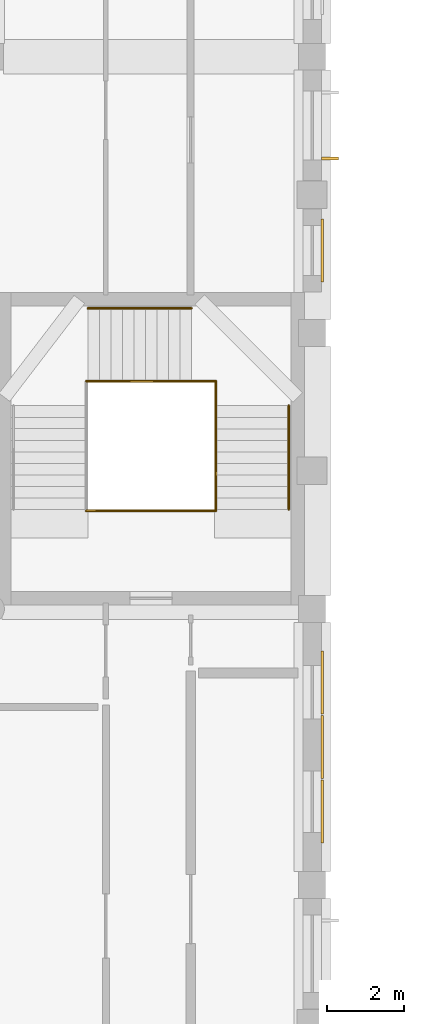
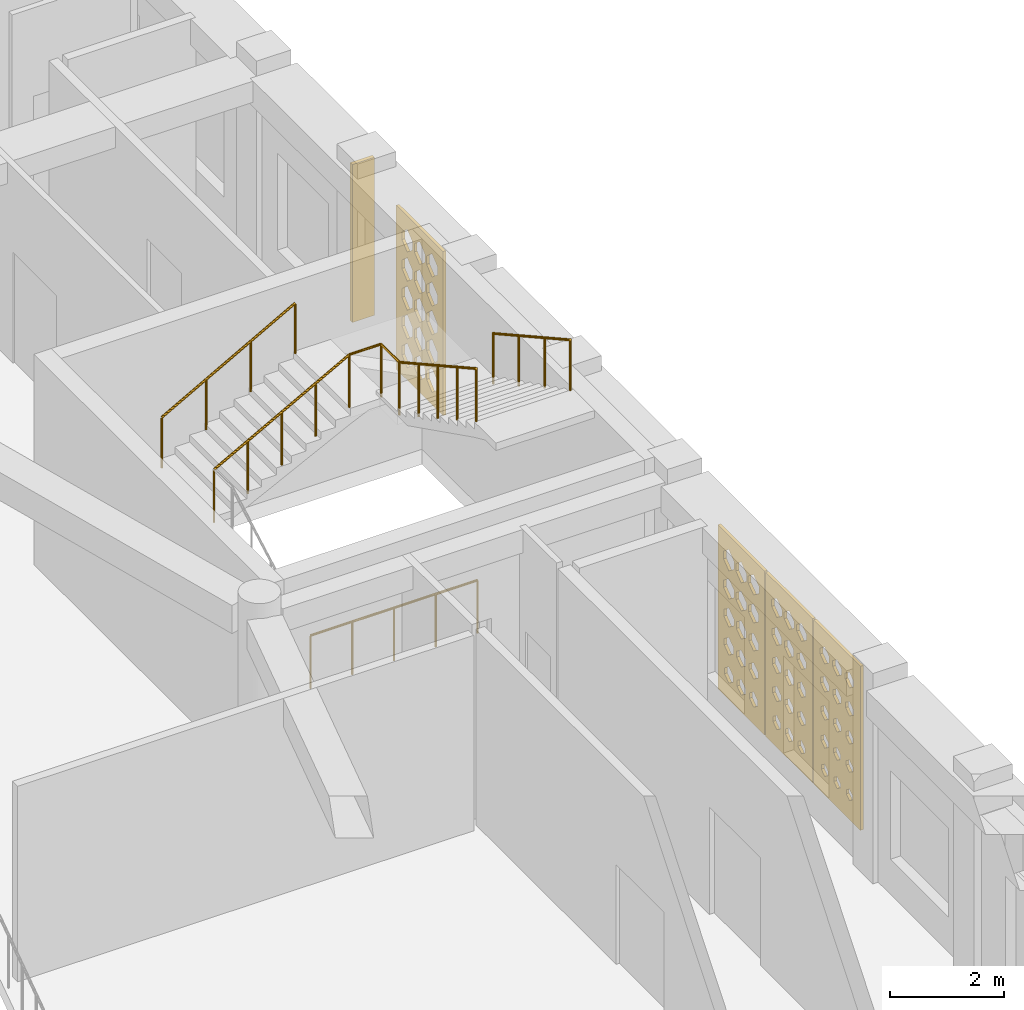
# One storey, part 85 of 100: 5 railings, 4 coverings, 1 shading device.
"""IFC4 building model written with IfcOpenShell, lengths in metres."""

from ifc_helpers import new_model, si_unit, derived_unit, direction, frame, origin, origin_2d, place, context, subcontext, project, spatial, polyline, rectangle, circle, outline, extrude, material, layer, layer_set, type_object, element, save


model = new_model("IFC4")

# Units and contexts
model_context = context("Model", 3, precision=1e-05, world=origin(), true_north=direction((0.0, 1.0)))
body_context = subcontext(model_context, "Body", "Model", "MODEL_VIEW")
ifc_project = project(units=[si_unit("LENGTHUNIT", "METRE"), si_unit("AREAUNIT", "SQUARE_METRE"), si_unit("VOLUMEUNIT", "CUBIC_METRE"), si_unit("PLANEANGLEUNIT", "RADIAN"), si_unit("MASSUNIT", "GRAM", prefix="KILO"), derived_unit("THERMALTRANSMITTANCEUNIT", [(si_unit("POWERUNIT", "WATT"), 1), (si_unit("LENGTHUNIT", "METRE"), -2), (si_unit("THERMODYNAMICTEMPERATUREUNIT", "KELVIN"), -1)])], contexts=[model_context])

# Site, building, storey
site_placement = place(None, origin())
site = spatial("IfcSite", under=ifc_project, at=site_placement, CompositionType="ELEMENT")
building_placement = place(site_placement, origin())
building = spatial("IfcBuilding", under=site, at=building_placement, Name="Veybourne Emporium", CompositionType="ELEMENT")
storey_placement = place(building_placement, frame((0.0, 0.0, 14.39990234375)))
storey = spatial("IfcBuildingStorey", under=building, at=storey_placement, Name="L03", CompositionType="ELEMENT", Elevation=14.39990234375)

# Railings
ifc_material_1 = material(Name="Brushed Stainless Steel", Category="steel")
railing_type_1 = type_object("IfcRailingType", Name="Guard_GR-01", PredefinedType="GUARDRAIL", material=ifc_material_1)
railing_1_placement = place(storey_placement, frame((94.909912109375, 56.340087890625, 1.5)))
element("IfcRailing", 1, at=railing_1_placement, inside=storey, type_object=railing_type_1, Name="L03 ST-07 stair guard 2", PredefinedType="GUARDRAIL", context=body_context, shape_type="SweptSolid", body=[
    extrude(circle(Radius=0.02392578125, at=origin_2d()), frame((0.0, 0.0, 1.1259765625), z_axis=(0.87715976088, 0.0, 0.480198660861), x_axis=(0.0, 1.0, 0.0)), (0.0, 0.0, 1.0), 3.123779296875),
    extrude(circle(Radius=0.02392578125, at=origin_2d()), frame((2.739990234375, 0.0, 2.6259765625), z_axis=(1.0, 0.0, 0.0), x_axis=(0.0, 1.0, 0.0)), (0.0, 0.0, 1.0), 0.64013671875),
    extrude(circle(Radius=0.02099609375, at=origin_2d()), origin(), (0.0, 0.0, 1.0), 1.101806640625),
    extrude(circle(Radius=0.02099609375, at=origin_2d()), frame((0.68505859375, 0.0, 0.375)), (0.0, 0.0, 1.0), 1.101806640625),
    extrude(circle(Radius=0.02099609375, at=origin_2d()), frame((1.3701171875, 0.0, 0.75)), (0.0, 0.0, 1.0), 1.101806640625),
    extrude(circle(Radius=0.02099609375, at=origin_2d()), frame((2.054931640625, 0.0, 1.125)), (0.0, 0.0, 1.0), 1.101806640625),
    extrude(circle(Radius=0.02099609375, at=origin_2d()), frame((2.739990234375, 0.0, 1.5)), (0.0, 0.0, 1.0), 1.101806640625),
    extrude(circle(Radius=0.02099609375, at=origin_2d()), frame((3.380126953125, 0.0, 1.5)), (0.0, 0.0, 1.0), 1.101806640625),
])
railing_2_placement = place(storey_placement, frame((98.2900390625, 56.340087890625, 3.0)))
element("IfcRailing", 2, at=railing_2_placement, inside=storey, type_object=railing_type_1, Name="L03 ST-07 stair guard 3", PredefinedType="GUARDRAIL", context=body_context, shape_type="SweptSolid", body=[
    extrude(circle(Radius=0.02392578125, at=origin_2d()), frame((0.0, 0.0, 1.1259765625), z_axis=(0.0, -1.0, 0.0), x_axis=(1.0, 0.0, 0.0)), (0.0, 0.0, 1.0), 0.64013671875),
    extrude(circle(Radius=0.02392578125, at=origin_2d()), frame((0.0, -0.64013671875, 1.1259765625), z_axis=(0.0, -0.87415354758, 0.485649642493), x_axis=(1.0, 0.0, 0.0)), (0.0, 0.0, 1.0), 3.088623046875),
    extrude(circle(Radius=0.02099609375, at=origin_2d()), origin(), (0.0, 0.0, 1.0), 1.101806640625),
    extrude(circle(Radius=0.02099609375, at=origin_2d()), frame((0.0, -0.64013671875, 0.0)), (0.0, 0.0, 1.0), 1.101806640625),
    extrude(circle(Radius=0.02099609375, at=origin_2d()), frame((0.0, -1.315185546875, 0.375)), (0.0, 0.0, 1.0), 1.101806640625),
    extrude(circle(Radius=0.02099609375, at=origin_2d()), frame((0.0, -1.990234375, 0.75)), (0.0, 0.0, 1.0), 1.101806640625),
    extrude(circle(Radius=0.02099609375, at=origin_2d()), frame((0.0, -2.6650390625, 1.125)), (0.0, 0.0, 1.0), 1.101806640625),
    extrude(circle(Radius=0.02099609375, at=origin_2d()), frame((0.0, -3.340087890625, 1.5)), (0.0, 0.0, 1.0), 1.101806640625),
])
railing_3_placement = place(storey_placement, frame((94.909912109375, 52.9599609375, 0.0)))
element("IfcRailing", 3, at=railing_3_placement, inside=storey, type_object=railing_type_1, Name="L03 ST-07 stair guard 4", PredefinedType="GUARDRAIL", context=body_context, shape_type="SweptSolid", body=[
    extrude(circle(Radius=0.02392578125, at=origin_2d()), frame((0.0, 0.0, 1.1259765625), z_axis=(1.0, 0.0, 0.0), x_axis=(0.0, 1.0, 0.0)), (0.0, 0.0, 1.0), 3.380126953125),
    extrude(circle(Radius=0.02099609375, at=origin_2d()), origin(), (0.0, 0.0, 1.0), 1.101806640625),
    extrude(circle(Radius=0.02099609375, at=origin_2d()), frame((0.844970703125, 0.0, 0.0)), (0.0, 0.0, 1.0), 1.101806640625),
    extrude(circle(Radius=0.02099609375, at=origin_2d()), frame((1.68994140625, 0.0, 0.0)), (0.0, 0.0, 1.0), 1.101806640625),
    extrude(circle(Radius=0.02099609375, at=origin_2d()), frame((2.53515625, 0.0, 0.0)), (0.0, 0.0, 1.0), 1.101806640625),
    extrude(circle(Radius=0.02099609375, at=origin_2d()), frame((3.380126953125, 0.0, 0.0)), (0.0, 0.0, 1.0), 1.101806640625),
])
railing_type_2 = type_object("IfcRailingType", Name="Handrail_HR-01", PredefinedType="HANDRAIL", material=ifc_material_1)
railing_4_placement = place(storey_placement, frame((94.949951171875, 58.239990234375, 1.650146484375)))
element("IfcRailing", 4, at=railing_4_placement, inside=storey, type_object=railing_type_2, Name="L03 ST-07 pitch handrail 2", PredefinedType="HANDRAIL", context=body_context, shape_type="SweptSolid", body=[
    extrude(circle(Radius=0.02392578125, at=origin_2d()), frame((0.0, 0.0, 0.92578125), z_axis=(0.87415354758, 0.0, 0.485649642493), x_axis=(0.0, 1.0, 0.0)), (0.0, 0.0, 1.0), 3.088623046875),
    extrude(circle(Radius=0.02099609375, at=origin_2d()), frame((0.0, 0.0, -0.14990234375)), (0.0, 0.0, 1.0), 1.0517578125),
    extrude(circle(Radius=0.02099609375, at=origin_2d()), frame((0.89990234375, 0.0, 0.35009765625)), (0.0, 0.0, 1.0), 1.0517578125),
    extrude(circle(Radius=0.02099609375, at=origin_2d()), frame((1.800048828125, 0.0, 0.85009765625)), (0.0, 0.0, 1.0), 1.0517578125),
    extrude(circle(Radius=0.02099609375, at=origin_2d()), frame((2.699951171875, 0.0, 1.35009765625)), (0.0, 0.0, 1.0), 1.0517578125),
])
railing_5_placement = place(storey_placement, frame((100.18994140625, 55.699951171875, 3.150146484375)))
element("IfcRailing", 5, at=railing_5_placement, inside=storey, type_object=railing_type_2, Name="L03 ST-07 pitch handrail 3", PredefinedType="HANDRAIL", context=body_context, shape_type="SweptSolid", body=[
    extrude(circle(Radius=0.02392578125, at=origin_2d()), frame((0.0, 0.0, 0.92578125), z_axis=(0.0, -0.87415354758, 0.485649642493), x_axis=(1.0, 0.0, 0.0)), (0.0, 0.0, 1.0), 3.088623046875),
    extrude(circle(Radius=0.02099609375, at=origin_2d()), frame((0.0, 0.0, -0.14990234375)), (0.0, 0.0, 1.0), 1.0517578125),
    extrude(circle(Radius=0.02099609375, at=origin_2d()), frame((0.0, -0.89990234375, 0.35009765625)), (0.0, 0.0, 1.0), 1.0517578125),
    extrude(circle(Radius=0.02099609375, at=origin_2d()), frame((0.0, -1.800048828125, 0.85009765625)), (0.0, 0.0, 1.0), 1.0517578125),
    extrude(circle(Radius=0.02099609375, at=origin_2d()), frame((0.0, -2.699951171875, 1.35009765625)), (0.0, 0.0, 1.0), 1.0517578125),
])

# Shading device
ifc_material_2 = material(Name="Patinated Architectural Bronze", Category="bronze")
shading_device_type = type_object("IfcShadingDeviceType", Name="SolarFin_FIN-02", PredefinedType="USERDEFINED", material=ifc_material_2)
shading_device_placement = place(storey_placement, frame((101.263916015625, 62.14599609375, 0.125244140625), z_axis=(0.0, 0.0, 1.0), x_axis=(0.0, -1.0, 0.0)))
element("IfcShadingDevice", 6, at=shading_device_placement, inside=storey, type_object=shading_device_type, Name="L03 bronze brise-soleil fin FIN-02 (57A.2)", ObjectType="FIN", PredefinedType="USERDEFINED", context=body_context, shape_type="SweptSolid", body=[
    extrude(rectangle(XDim=0.074951171875, YDim=0.449951171875, at=origin_2d()), origin(), (0.0, 0.0, 1.0), 3.3798828125),
])

# Coverings
ifc_material_3 = material(Name="Warm-White Perforated Aluminium Screen Alloy", Category="aluminium")
ifc_layer_1 = layer(ifc_material_3, 0.06005859375)
ifc_layer_set_1 = layer_set([ifc_layer_1], Name="Warm-White Perforated Aluminium Screen Alloy")
covering_type_1 = type_object("IfcCoveringType", Name="WaveScreen_SCR-01", PredefinedType="CLADDING", material=ifc_layer_set_1)
covering_1_placement = place(storey_placement, frame((101.09814453125, 46.800048828125, 1.815185546875), z_axis=(-1.0, 0.0, 0.0), x_axis=(0.0, -1.0, 0.0)))
element("IfcCovering", 7, at=covering_1_placement, inside=storey, type_object=covering_type_1, Name="L03 wave-perforated aluminium screen SCR-01 (55.2)", PredefinedType="CLADDING", context=body_context, shape_type="SweptSolid", body=[
    extrude(outline(polyline([(-0.81982421875, -1.7548828125), (0.81982421875, -1.7548828125), (0.81982421875, 1.7548828125), (-0.81982421875, 1.7548828125), (-0.81982421875, -1.7548828125)]), holes=[polyline([(-0.433349609375, -1.076904296875), (-0.2998046875, -1.173583984375), (-0.2998046875, -1.282470703125), (-0.433349609375, -1.379150390625), (-0.56689453125, -1.282470703125), (-0.56689453125, -1.173583984375), (-0.433349609375, -1.076904296875)]), polyline([(-0.433349609375, -0.4501953125), (-0.289306640625, -0.554931640625), (-0.289306640625, -0.673095703125), (-0.433349609375, -0.77783203125), (-0.577392578125, -0.673095703125), (-0.577392578125, -0.554931640625), (-0.433349609375, -0.4501953125)]), polyline([(-0.433349609375, 0.177490234375), (-0.278076171875, 0.06396484375), (-0.278076171875, -0.06396484375), (-0.433349609375, -0.177490234375), (-0.588623046875, -0.06396484375), (-0.588623046875, 0.06396484375), (-0.433349609375, 0.177490234375)]), polyline([(-0.433349609375, 0.8056640625), (-0.2666015625, 0.68310546875), (-0.2666015625, 0.544921875), (-0.433349609375, 0.42236328125), (-0.60009765625, 0.544921875), (-0.60009765625, 0.68310546875), (-0.433349609375, 0.8056640625)]), polyline([(-0.433349609375, 1.433837890625), (-0.2548828125, 1.302001953125), (-0.2548828125, 1.15380859375), (-0.433349609375, 1.022216796875), (-0.61181640625, 1.15380859375), (-0.61181640625, 1.302001953125), (-0.433349609375, 1.433837890625)]), polyline([(0.0, -1.082275390625), (0.129150390625, -1.175537109375), (0.129150390625, -1.280517578125), (0.0, -1.373779296875), (-0.129150390625, -1.280517578125), (-0.129150390625, -1.175537109375), (0.0, -1.082275390625)]), polyline([(0.0, -0.4560546875), (0.139404296875, -0.55712890625), (0.139404296875, -0.6708984375), (0.0, -0.77197265625), (-0.139404296875, -0.6708984375), (-0.139404296875, -0.55712890625), (0.0, -0.4560546875)]), polyline([(0.0, 0.17138671875), (0.150146484375, 0.061767578125), (0.150146484375, -0.061767578125), (0.0, -0.17138671875), (-0.150146484375, -0.061767578125), (-0.150146484375, 0.061767578125), (0.0, 0.17138671875)]), polyline([(0.0, 0.79931640625), (0.16162109375, 0.6806640625), (0.16162109375, 0.54736328125), (0.0, 0.4287109375), (-0.16162109375, 0.54736328125), (-0.16162109375, 0.6806640625), (0.0, 0.79931640625)]), polyline([(0.0, 1.427490234375), (0.173095703125, 1.2998046875), (0.173095703125, 1.15625), (0.0, 1.028564453125), (-0.173095703125, 1.15625), (-0.173095703125, 1.2998046875), (0.0, 1.427490234375)]), polyline([(0.433349609375, -1.08740234375), (0.558349609375, -1.177490234375), (0.558349609375, -1.278564453125), (0.433349609375, -1.368408203125), (0.308349609375, -1.278564453125), (0.308349609375, -1.177490234375), (0.433349609375, -1.08740234375)]), polyline([(0.433349609375, -0.461669921875), (0.56787109375, -0.55908203125), (0.56787109375, -0.668701171875), (0.433349609375, -0.766357421875), (0.298828125, -0.668701171875), (0.298828125, -0.55908203125), (0.433349609375, -0.461669921875)]), polyline([(0.433349609375, 0.165283203125), (0.57861328125, 0.0595703125), (0.57861328125, -0.0595703125), (0.433349609375, -0.165283203125), (0.2880859375, -0.0595703125), (0.2880859375, 0.0595703125), (0.433349609375, 0.165283203125)]), polyline([(0.433349609375, 0.79296875), (0.589599609375, 0.678466796875), (0.589599609375, 0.549560546875), (0.433349609375, 0.43505859375), (0.277099609375, 0.549560546875), (0.277099609375, 0.678466796875), (0.433349609375, 0.79296875)]), polyline([(0.433349609375, 1.4208984375), (0.601318359375, 1.297607421875), (0.601318359375, 1.158447265625), (0.433349609375, 1.034912109375), (0.265380859375, 1.158447265625), (0.265380859375, 1.297607421875), (0.433349609375, 1.4208984375)])]), origin(), (0.0, 0.0, 1.0), 0.06005859375),
])
ifc_layer_2 = layer(ifc_material_3, 0.06005859375)
ifc_layer_set_2 = layer_set([ifc_layer_2], Name="Warm-White Perforated Aluminium Screen Alloy")
covering_type_2 = type_object("IfcCoveringType", Name="WaveScreen_SCR-02", PredefinedType="CLADDING", material=ifc_layer_set_2)
covering_2_placement = place(storey_placement, frame((101.09814453125, 45.1201171875, 1.815185546875), z_axis=(-1.0, 0.0, 0.0), x_axis=(0.0, -1.0, 0.0)))
element("IfcCovering", 8, at=covering_2_placement, inside=storey, type_object=covering_type_2, Name="L03 wave-perforated aluminium screen SCR-02 (55.3)", PredefinedType="CLADDING", context=body_context, shape_type="SweptSolid", body=[
    extrude(outline(polyline([(-0.81982421875, -1.7548828125), (0.81982421875, -1.7548828125), (0.81982421875, 1.7548828125), (-0.81982421875, 1.7548828125), (-0.81982421875, -1.7548828125)]), holes=[polyline([(-0.433349609375, -1.09619140625), (-0.3154296875, -1.1806640625), (-0.3154296875, -1.275390625), (-0.433349609375, -1.359619140625), (-0.551025390625, -1.275390625), (-0.551025390625, -1.1806640625), (-0.433349609375, -1.09619140625)]), polyline([(-0.433349609375, -0.4716796875), (-0.306884765625, -0.562744140625), (-0.306884765625, -0.665283203125), (-0.433349609375, -0.756103515625), (-0.559814453125, -0.665283203125), (-0.559814453125, -0.562744140625), (-0.433349609375, -0.4716796875)]), polyline([(-0.433349609375, 0.154052734375), (-0.297119140625, 0.055419921875), (-0.297119140625, -0.055419921875), (-0.433349609375, -0.154052734375), (-0.5693359375, -0.055419921875), (-0.5693359375, 0.055419921875), (-0.433349609375, 0.154052734375)]), polyline([(-0.433349609375, 0.78125), (-0.28662109375, 0.67431640625), (-0.28662109375, 0.5537109375), (-0.433349609375, 0.44677734375), (-0.580078125, 0.5537109375), (-0.580078125, 0.67431640625), (-0.433349609375, 0.78125)]), polyline([(-0.433349609375, 1.408935546875), (-0.275390625, 1.293212890625), (-0.275390625, 1.162841796875), (-0.433349609375, 1.047119140625), (-0.59130859375, 1.162841796875), (-0.59130859375, 1.293212890625), (-0.433349609375, 1.408935546875)]), polyline([(0.0, -1.100341796875), (0.114501953125, -1.18212890625), (0.114501953125, -1.27392578125), (0.0, -1.355712890625), (-0.114501953125, -1.27392578125), (-0.114501953125, -1.18212890625), (0.0, -1.100341796875)]), polyline([(0.0, -0.476806640625), (0.122314453125, -0.564697265625), (0.122314453125, -0.663330078125), (0.0, -0.751220703125), (-0.122314453125, -0.663330078125), (-0.122314453125, -0.564697265625), (0.0, -0.476806640625)]), polyline([(0.0, 0.1484375), (0.131591796875, 0.053466796875), (0.131591796875, -0.053466796875), (0.0, -0.1484375), (-0.131591796875, -0.053466796875), (-0.131591796875, 0.053466796875), (0.0, 0.1484375)]), polyline([(0.0, 0.775146484375), (0.141845703125, 0.672119140625), (0.141845703125, 0.555908203125), (0.0, 0.452880859375), (-0.141845703125, 0.555908203125), (-0.141845703125, 0.672119140625), (0.0, 0.775146484375)]), polyline([(0.0, 1.402587890625), (0.15283203125, 1.291015625), (0.15283203125, 1.1650390625), (0.0, 1.05322265625), (-0.15283203125, 1.1650390625), (-0.15283203125, 1.291015625), (0.0, 1.402587890625)]), polyline([(0.433349609375, -1.104248046875), (0.544677734375, -1.183349609375), (0.544677734375, -1.272705078125), (0.433349609375, -1.351806640625), (0.322021484375, -1.272705078125), (0.322021484375, -1.183349609375), (0.433349609375, -1.104248046875)]), polyline([(0.433349609375, -0.4814453125), (0.552001953125, -0.566162109375), (0.552001953125, -0.661865234375), (0.433349609375, -0.74658203125), (0.314697265625, -0.661865234375), (0.314697265625, -0.566162109375), (0.433349609375, -0.4814453125)]), polyline([(0.433349609375, 0.143310546875), (0.560546875, 0.051513671875), (0.560546875, -0.051513671875), (0.433349609375, -0.143310546875), (0.30615234375, -0.051513671875), (0.30615234375, 0.051513671875), (0.433349609375, 0.143310546875)]), polyline([(0.433349609375, 0.769287109375), (0.5703125, 0.669921875), (0.5703125, 0.55810546875), (0.433349609375, 0.458740234375), (0.29638671875, 0.55810546875), (0.29638671875, 0.669921875), (0.433349609375, 0.769287109375)]), polyline([(0.433349609375, 1.396484375), (0.5810546875, 1.28857421875), (0.5810546875, 1.16748046875), (0.433349609375, 1.0595703125), (0.285400390625, 1.16748046875), (0.285400390625, 1.28857421875), (0.433349609375, 1.396484375)])]), origin(), (0.0, 0.0, 1.0), 0.06005859375),
])
covering_3_placement = place(storey_placement, frame((101.09814453125, 59.75, 1.815185546875), z_axis=(-1.0, 0.0, 0.0), x_axis=(0.0, -1.0, 0.0)))
element("IfcCovering", 9, at=covering_3_placement, inside=storey, type_object=covering_type_2, Name="L03 wave-perforated aluminium screen SCR-02 (57B.1)", PredefinedType="CLADDING", context=body_context, shape_type="SweptSolid", body=[
    extrude(outline(polyline([(-0.81982421875, -1.7548828125), (0.81982421875, -1.7548828125), (0.81982421875, 1.7548828125), (-0.81982421875, 1.7548828125), (-0.81982421875, -1.7548828125)]), holes=[polyline([(-0.433349609375, -0.964111328125), (-0.2470703125, -1.133056640625), (-0.2470703125, -1.322998046875), (-0.433349609375, -1.491943359375), (-0.61962890625, -1.322998046875), (-0.61962890625, -1.133056640625), (-0.433349609375, -0.964111328125)]), polyline([(-0.433349609375, -0.35009765625), (-0.2470703125, -0.51904296875), (-0.2470703125, -0.708984375), (-0.433349609375, -0.8779296875), (-0.61962890625, -0.708984375), (-0.61962890625, -0.51904296875), (-0.433349609375, -0.35009765625)]), polyline([(-0.433349609375, 0.26171875), (-0.2470703125, 0.09423828125), (-0.2470703125, -0.09423828125), (-0.433349609375, -0.26171875), (-0.61962890625, -0.09423828125), (-0.61962890625, 0.09423828125), (-0.433349609375, 0.26171875)]), polyline([(-0.433349609375, 0.86669921875), (-0.2470703125, 0.705078125), (-0.2470703125, 0.52294921875), (-0.433349609375, 0.361083984375), (-0.61962890625, 0.52294921875), (-0.61962890625, 0.705078125), (-0.433349609375, 0.86669921875)]), polyline([(-0.433349609375, 1.47021484375), (-0.2470703125, 1.315185546875), (-0.2470703125, 1.140869140625), (-0.433349609375, 0.985595703125), (-0.61962890625, 1.140869140625), (-0.61962890625, 1.315185546875), (-0.433349609375, 1.47021484375)]), polyline([(0.0, -0.964111328125), (0.186279296875, -1.133056640625), (0.186279296875, -1.322998046875), (0.0, -1.491943359375), (-0.186279296875, -1.322998046875), (-0.186279296875, -1.133056640625), (0.0, -0.964111328125)]), polyline([(0.0, -0.35009765625), (0.186279296875, -0.51904296875), (0.186279296875, -0.708984375), (0.0, -0.8779296875), (-0.186279296875, -0.708984375), (-0.186279296875, -0.51904296875), (0.0, -0.35009765625)]), polyline([(0.0, 0.263916015625), (0.186279296875, 0.094970703125), (0.186279296875, -0.094970703125), (0.0, -0.263916015625), (-0.186279296875, -0.094970703125), (-0.186279296875, 0.094970703125), (0.0, 0.263916015625)]), polyline([(0.0, 0.87109375), (0.186279296875, 0.70654296875), (0.186279296875, 0.521484375), (0.0, 0.35693359375), (-0.186279296875, 0.521484375), (-0.186279296875, 0.70654296875), (0.0, 0.87109375)]), polyline([(0.0, 1.475341796875), (0.186279296875, 1.31689453125), (0.186279296875, 1.138916015625), (0.0, 0.980712890625), (-0.186279296875, 1.138916015625), (-0.186279296875, 1.31689453125), (0.0, 1.475341796875)]), polyline([(0.433349609375, -0.964111328125), (0.61962890625, -1.133056640625), (0.61962890625, -1.322998046875), (0.433349609375, -1.491943359375), (0.2470703125, -1.322998046875), (0.2470703125, -1.133056640625), (0.433349609375, -0.964111328125)]), polyline([(0.433349609375, -0.35009765625), (0.61962890625, -0.51904296875), (0.61962890625, -0.708984375), (0.433349609375, -0.8779296875), (0.2470703125, -0.708984375), (0.2470703125, -0.51904296875), (0.433349609375, -0.35009765625)]), polyline([(0.433349609375, 0.263916015625), (0.61962890625, 0.094970703125), (0.61962890625, -0.094970703125), (0.433349609375, -0.263916015625), (0.2470703125, -0.094970703125), (0.2470703125, 0.094970703125), (0.433349609375, 0.263916015625)]), polyline([(0.433349609375, 0.874755859375), (0.61962890625, 0.7080078125), (0.61962890625, 0.52001953125), (0.433349609375, 0.353271484375), (0.2470703125, 0.52001953125), (0.2470703125, 0.7080078125), (0.433349609375, 0.874755859375)]), polyline([(0.433349609375, 1.47998046875), (0.61962890625, 1.318603515625), (0.61962890625, 1.13720703125), (0.433349609375, 0.97607421875), (0.2470703125, 1.13720703125), (0.2470703125, 1.318603515625), (0.433349609375, 1.47998046875)])]), origin(), (0.0, 0.0, 1.0), 0.06005859375),
])
ifc_layer_3 = layer(ifc_material_3, 0.06005859375)
ifc_layer_set_3 = layer_set([ifc_layer_3], Name="Warm-White Perforated Aluminium Screen Alloy")
covering_type_3 = type_object("IfcCoveringType", Name="WaveScreen_SCR-04", PredefinedType="CLADDING", material=ifc_layer_set_3)
covering_4_placement = place(storey_placement, frame((101.09814453125, 48.47998046875, 1.815185546875), z_axis=(-1.0, 0.0, 0.0), x_axis=(0.0, -1.0, 0.0)))
element("IfcCovering", 10, at=covering_4_placement, inside=storey, type_object=covering_type_3, Name="L03 wave-perforated aluminium screen SCR-04 (55.1)", PredefinedType="CLADDING", context=body_context, shape_type="SweptSolid", body=[
    extrude(outline(polyline([(-0.81982421875, -1.7548828125), (0.81982421875, -1.7548828125), (0.81982421875, 1.7548828125), (-0.81982421875, 1.7548828125), (-0.81982421875, -1.7548828125)]), holes=[polyline([(-0.433349609375, -1.0537109375), (-0.28076171875, -1.165283203125), (-0.28076171875, -1.290771484375), (-0.433349609375, -1.40234375), (-0.5859375, -1.290771484375), (-0.5859375, -1.165283203125), (-0.433349609375, -1.0537109375)]), polyline([(-0.433349609375, -0.42578125), (-0.269287109375, -0.546142578125), (-0.269287109375, -0.681884765625), (-0.433349609375, -0.80224609375), (-0.597412109375, -0.681884765625), (-0.597412109375, -0.546142578125), (-0.433349609375, -0.42578125)]), polyline([(-0.433349609375, 0.202392578125), (-0.2578125, 0.072998046875), (-0.2578125, -0.072998046875), (-0.433349609375, -0.202392578125), (-0.60888671875, -0.072998046875), (-0.60888671875, 0.072998046875), (-0.433349609375, 0.202392578125)]), polyline([(-0.433349609375, 0.830322265625), (-0.2470703125, 0.69189453125), (-0.2470703125, 0.5361328125), (-0.433349609375, 0.397705078125), (-0.61962890625, 0.5361328125), (-0.61962890625, 0.69189453125), (-0.433349609375, 0.830322265625)]), polyline([(-0.433349609375, 1.45751953125), (-0.2470703125, 1.310546875), (-0.2470703125, 1.1455078125), (-0.433349609375, 0.99853515625), (-0.61962890625, 1.1455078125), (-0.61962890625, 1.310546875), (-0.433349609375, 1.45751953125)]), polyline([(0.0, -1.06005859375), (0.1474609375, -1.16748046875), (0.1474609375, -1.28857421875), (0.0, -1.39599609375), (-0.1474609375, -1.28857421875), (-0.1474609375, -1.16748046875), (0.0, -1.06005859375)]), polyline([(0.0, -0.43212890625), (0.15869140625, -0.548583984375), (0.15869140625, -0.679443359375), (0.0, -0.7958984375), (-0.15869140625, -0.679443359375), (-0.15869140625, -0.548583984375), (0.0, -0.43212890625)]), polyline([(0.0, 0.196044921875), (0.17041015625, 0.070556640625), (0.17041015625, -0.070556640625), (0.0, -0.196044921875), (-0.17041015625, -0.070556640625), (-0.17041015625, 0.070556640625), (0.0, 0.196044921875)]), polyline([(0.0, 0.82421875), (0.181884765625, 0.689697265625), (0.181884765625, 0.538330078125), (0.0, 0.40380859375), (-0.181884765625, 0.538330078125), (-0.181884765625, 0.689697265625), (0.0, 0.82421875)]), polyline([(0.0, 1.45166015625), (0.186279296875, 1.30859375), (0.186279296875, 1.1474609375), (0.0, 1.00439453125), (-0.186279296875, 1.1474609375), (-0.186279296875, 1.30859375), (0.0, 1.45166015625)]), polyline([(0.433349609375, -1.06591796875), (0.575927734375, -1.169677734375), (0.575927734375, -1.286376953125), (0.433349609375, -1.389892578125), (0.290771484375, -1.286376953125), (0.290771484375, -1.169677734375), (0.433349609375, -1.06591796875)]), polyline([(0.433349609375, -0.4384765625), (0.5869140625, -0.55078125), (0.5869140625, -0.67724609375), (0.433349609375, -0.78955078125), (0.27978515625, -0.67724609375), (0.27978515625, -0.55078125), (0.433349609375, -0.4384765625)]), polyline([(0.433349609375, 0.189697265625), (0.598388671875, 0.068359375), (0.598388671875, -0.068359375), (0.433349609375, -0.189697265625), (0.268310546875, -0.068359375), (0.268310546875, 0.068359375), (0.433349609375, 0.189697265625)]), polyline([(0.433349609375, 0.81787109375), (0.610107421875, 0.6875), (0.610107421875, 0.54052734375), (0.433349609375, 0.41015625), (0.256591796875, 0.54052734375), (0.256591796875, 0.6875), (0.433349609375, 0.81787109375)]), polyline([(0.433349609375, 1.445556640625), (0.61962890625, 1.306396484375), (0.61962890625, 1.149658203125), (0.433349609375, 1.010498046875), (0.2470703125, 1.149658203125), (0.2470703125, 1.306396484375), (0.433349609375, 1.445556640625)])]), origin(), (0.0, 0.0, 1.0), 0.06005859375),
])

save(model, "model.ifc")
